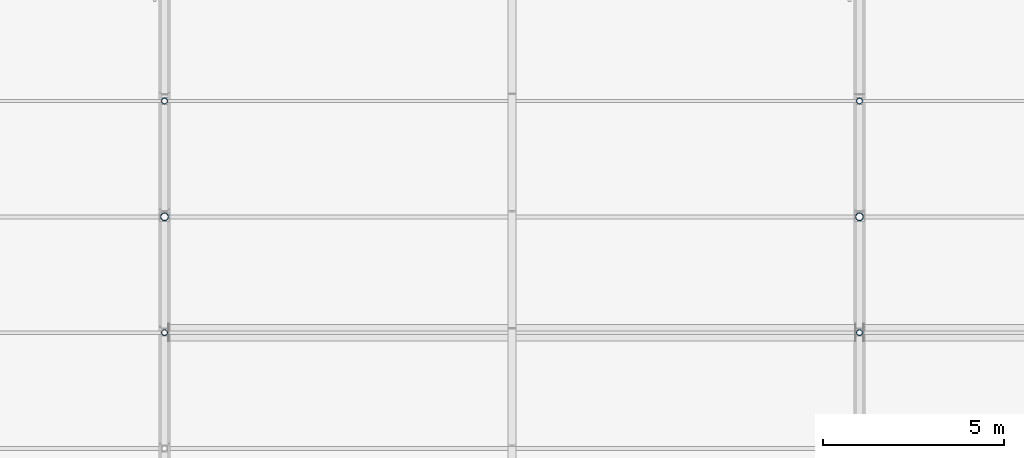
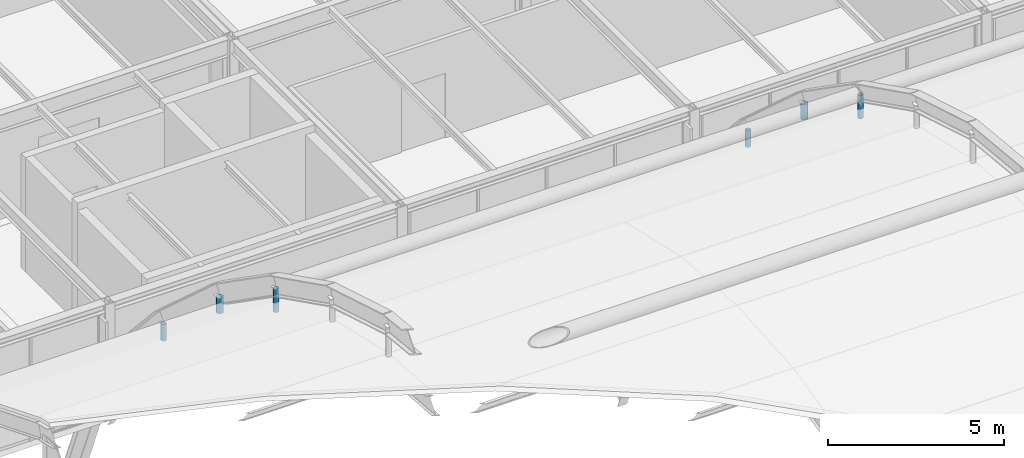
# One storey, part 101 of 126: 6 members.
"""IFC4 building model written with IfcOpenShell, lengths in metres."""

from ifc_helpers import new_model, si_unit, direction, frame, origin, origin_2d, place, context, subcontext, project, spatial, hollow_circle, extrude, material, material_profile, profile_set, type_object, element, save


model = new_model("IFC4")

# Units and contexts
model_context = context("Model", 3, precision=1e-05, world=origin(), true_north=direction((0.0, 1.0)))
body_context = subcontext(model_context, "Body", "Model", "MODEL_VIEW")
ifc_project = project(units=[si_unit("LENGTHUNIT", "METRE"), si_unit("AREAUNIT", "SQUARE_METRE"), si_unit("VOLUMEUNIT", "CUBIC_METRE"), si_unit("PLANEANGLEUNIT", "RADIAN"), si_unit("MASSUNIT", "GRAM", prefix="KILO")], contexts=[model_context])

# Site, building, storey
site_placement = place(None, origin())
site = spatial("IfcSite", under=ifc_project, at=site_placement, CompositionType="ELEMENT")
building_placement = place(site_placement, origin())
building = spatial("IfcBuilding", under=site, at=building_placement, Name="Coralgate Yard Interchange", CompositionType="ELEMENT")
storey_placement = place(building_placement, frame((0.0, 0.0, 10.5)))
storey = spatial("IfcBuildingStorey", under=building, at=storey_placement, Name="L02", CompositionType="ELEMENT", Elevation=10.5)

# Members
ifc_material = material(Name="Yellow-ochre weather-coated structural steel S355J2", Category="steel")
ifc_material_profile_1 = material_profile(ifc_material, hollow_circle(Radius=0.109619140625, WallThickness=0.010009765625, at=origin_2d()), Name="CHS 219.1x10")
ifc_profile_set_1 = profile_set([ifc_material_profile_1], Name="Yellow-ochre weather-coated structural steel S355J2")
member_type_1 = type_object("IfcMemberType", Name="MB-HG-1", PredefinedType="STRUT", material=ifc_profile_set_1)
for number, where, z_axis, x_axis, name in (
    (1, (48.0, 70.39990234375, 7.44921875), (0.0, 0.0, 1.0), (1.0, 0.0, 0.0), "Arch AR-1 steel suspension hanger 10"),
    (2, (67.199951171875, 70.39990234375, 7.44921875), (0.0, 0.0, 1.0), (1.0, 0.0, 0.0), "Arch AR-2 steel suspension hanger 10"),
):
    element("IfcMember", number, at=place(storey_placement, frame(where, z_axis=z_axis, x_axis=x_axis)), inside=storey, type_object=member_type_1, Name=name, PredefinedType="STRUT", context=body_context, shape_type="SweptSolid", body=[
        extrude(hollow_circle(Radius=0.109619140625, WallThickness=0.010009765625, at=origin_2d()), origin(), (0.0, 0.0, 1.0), 0.539794921875),
    ])
ifc_material_profile_2 = material_profile(ifc_material, hollow_circle(Radius=0.084228515625, WallThickness=0.008056640625, at=origin_2d()), Name="CHS 168.3x8")
ifc_profile_set_2 = profile_set([ifc_material_profile_2], Name="Yellow-ochre weather-coated structural steel S355J2")
member_type_2 = type_object("IfcMemberType", Name="MB-HG-2", PredefinedType="STRUT", material=ifc_profile_set_2)
member_1_placement = place(storey_placement, frame((48.0, 67.199951171875, 9.41259765625), z_axis=(0.0, 0.0, 1.0), x_axis=(1.0, 0.0, 0.0)))
element("IfcMember", 3, at=member_1_placement, inside=storey, type_object=member_type_2, Name="Arch AR-1 steel suspension hanger 9", PredefinedType="STRUT", context=body_context, shape_type="SweptSolid", body=[
    extrude(hollow_circle(Radius=0.084228515625, WallThickness=0.008056640625, at=origin_2d()), origin(), (0.0, 0.0, 1.0), 0.8125),
])
member_2_placement = place(storey_placement, frame((48.0, 73.60009765625, 4.5361328125), z_axis=(0.0, 0.0, 1.0), x_axis=(1.0, 0.0, 0.0)))
element("IfcMember", 4, at=member_2_placement, inside=storey, type_object=member_type_2, Name="Arch AR-1 steel suspension hanger 11", PredefinedType="STRUT", context=body_context, shape_type="SweptSolid", body=[
    extrude(hollow_circle(Radius=0.084228515625, WallThickness=0.008056640625, at=origin_2d()), origin(), (0.0, 0.0, 1.0), 0.577880859375),
])
member_3_placement = place(storey_placement, frame((67.199951171875, 67.199951171875, 9.41259765625), z_axis=(0.0, 0.0, 1.0), x_axis=(1.0, 0.0, 0.0)))
element("IfcMember", 5, at=member_3_placement, inside=storey, type_object=member_type_2, Name="Arch AR-2 steel suspension hanger 9", PredefinedType="STRUT", context=body_context, shape_type="SweptSolid", body=[
    extrude(hollow_circle(Radius=0.084228515625, WallThickness=0.008056640625, at=origin_2d()), origin(), (0.0, 0.0, 1.0), 0.8125),
])
member_4_placement = place(storey_placement, frame((67.199951171875, 73.60009765625, 4.5361328125), z_axis=(0.0, 0.0, 1.0), x_axis=(1.0, 0.0, 0.0)))
element("IfcMember", 6, at=member_4_placement, inside=storey, type_object=member_type_2, Name="Arch AR-2 steel suspension hanger 11", PredefinedType="STRUT", context=body_context, shape_type="SweptSolid", body=[
    extrude(hollow_circle(Radius=0.084228515625, WallThickness=0.008056640625, at=origin_2d()), origin(), (0.0, 0.0, 1.0), 0.577880859375),
])

save(model, "model.ifc")
